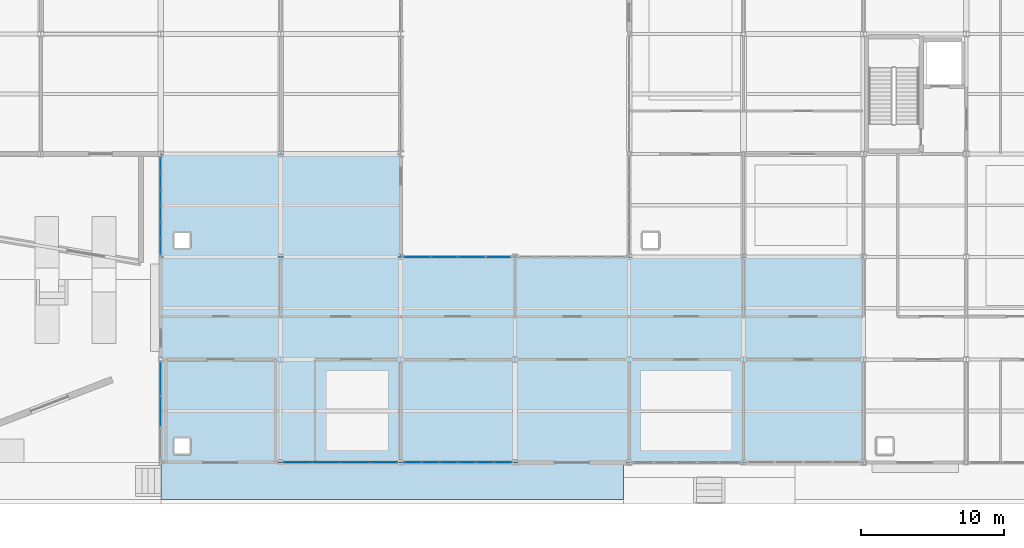
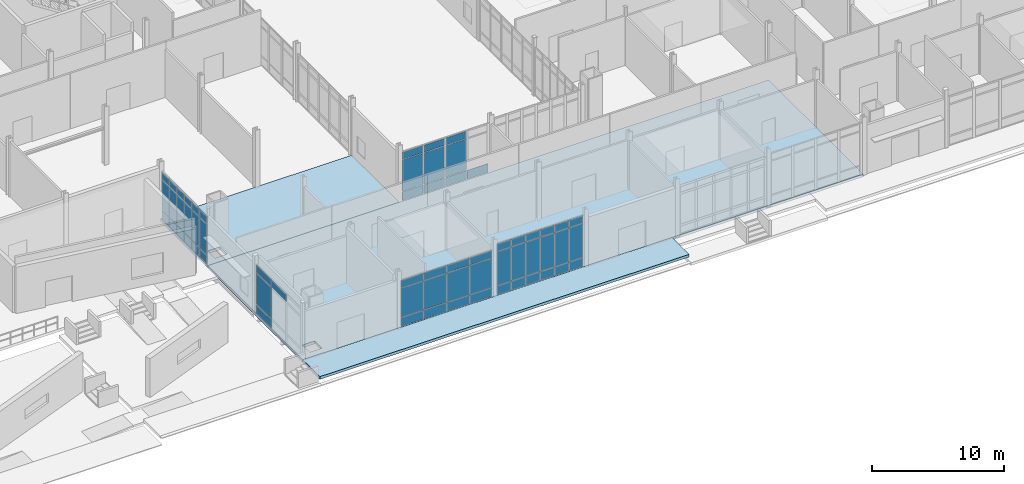
# One storey, part 141 of 229: 62 plates, 3 slabs, 5 elements without a shape of their own.
"""IFC4 building model written with IfcOpenShell, lengths in metres."""

from ifc_helpers import new_model, si_unit, direction, frame, origin, origin_2d, place, context, subcontext, project, spatial, polyline, rectangle, outline, extrude, material, layer, layer_set, type_object, element, aggregate, save


model = new_model("IFC4")

# Units and contexts
model_context = context("Model", 3, precision=1e-05, world=origin(), true_north=direction((0.0, 1.0)))
body_context = subcontext(model_context, "Body", "Model", "MODEL_VIEW")
ifc_project = project(units=[si_unit("LENGTHUNIT", "METRE"), si_unit("AREAUNIT", "SQUARE_METRE"), si_unit("VOLUMEUNIT", "CUBIC_METRE"), si_unit("PLANEANGLEUNIT", "RADIAN"), si_unit("MASSUNIT", "GRAM", prefix="KILO")], contexts=[model_context])

# Site, building, storey
site_placement = place(None, origin())
site = spatial("IfcSite", under=ifc_project, at=site_placement, CompositionType="ELEMENT")
building_placement = place(site_placement, origin())
building = spatial("IfcBuilding", under=site, at=building_placement, Name="Calvrana Isthmian Art Gallery", CompositionType="ELEMENT")
storey_placement = place(building_placement, origin())
storey = spatial("IfcBuildingStorey", under=building, at=storey_placement, Name="L00", CompositionType="ELEMENT", Elevation=0.0)

# Curtain wall, plates
ifc_material_1 = material(Name="Anodized bronze aluminium 6063-T6", Category="aluminium")
ifc_layer_1 = layer(ifc_material_1, 0.179931640625, Name="Anodized bronze aluminium 6063-T6")
ifc_layer_set_1 = layer_set([ifc_layer_1], Name="Anodized bronze aluminium 6063-T6")
curtain_wall_type_1 = type_object("IfcCurtainWallType", Name="CW-UNIT-076X46", PredefinedType="USERDEFINED", material=ifc_layer_set_1)
curtain_wall_1_placement = place(storey_placement, origin())
curtain_wall_1 = element("IfcCurtainWall", 1, at=curtain_wall_1_placement, inside=storey, type_object=curtain_wall_type_1, Name="Curtain wall CW-015", ObjectType="UNITISED CURTAIN WALL", PredefinedType="USERDEFINED")
ifc_material_2 = material(Name="Polychrome glazed terracotta", Category="masonry")
ifc_layer_2 = layer(ifc_material_2, 0.033935546875, Name="Polychrome glazed terracotta")
ifc_layer_set_2 = layer_set([ifc_layer_2], Name="Polychrome glazed terracotta")
plate_type_1 = type_object("IfcPlateType", Name="CWP-SPANDREL-34", PredefinedType="CURTAIN_PANEL", material=ifc_layer_set_2)
plate_1_placement = place(storey_placement, frame((81.556884765625, 14.39990234375, 0.06005859375), z_axis=(0.0, 0.0, 1.0), x_axis=(1.0, 0.0, 0.0)))
plate_1 = element("IfcPlate", 2, at=plate_1_placement, type_object=plate_type_1, Name="CW-015 panel 1.1", PredefinedType="CURTAIN_PANEL", context=body_context, shape_type="SweptSolid", body=[
    extrude(rectangle(XDim=1.802734375, YDim=0.033935546875, at=origin_2d()), origin(), (0.0, 0.0, 1.0), 0.81005859375),
])
plate_2_placement = place(storey_placement, frame((81.556884765625, 14.39990234375, 0.929931640625), z_axis=(0.0, 0.0, 1.0), x_axis=(1.0, 0.0, 0.0)))
plate_2 = element("IfcPlate", 3, at=plate_2_placement, type_object=plate_type_1, Name="CW-015 panel 1.2", PredefinedType="CURTAIN_PANEL", context=body_context, shape_type="SweptSolid", body=[
    extrude(rectangle(XDim=1.802734375, YDim=0.033935546875, at=origin_2d()), origin(), (0.0, 0.0, 1.0), 2.89697265625),
])
plate_3_placement = place(storey_placement, frame((81.556884765625, 14.39990234375, 3.88720703125), z_axis=(0.0, 0.0, 1.0), x_axis=(1.0, 0.0, 0.0)))
plate_3 = element("IfcPlate", 4, at=plate_3_placement, type_object=plate_type_1, Name="CW-015 panel 1.3", PredefinedType="CURTAIN_PANEL", context=body_context, shape_type="SweptSolid", body=[
    extrude(rectangle(XDim=1.802734375, YDim=0.033935546875, at=origin_2d()), origin(), (0.0, 0.0, 1.0), 0.659912109375),
])
plate_4_placement = place(storey_placement, frame((83.447021484375, 14.39990234375, 0.06005859375), z_axis=(0.0, 0.0, 1.0), x_axis=(1.0, 0.0, 0.0)))
plate_4 = element("IfcPlate", 5, at=plate_4_placement, type_object=plate_type_1, Name="CW-015 panel 2.1", PredefinedType="CURTAIN_PANEL", context=body_context, shape_type="SweptSolid", body=[
    extrude(rectangle(XDim=1.837646484375, YDim=0.033935546875, at=origin_2d()), origin(), (0.0, 0.0, 1.0), 0.81005859375),
])
plate_5_placement = place(storey_placement, frame((83.447021484375, 14.39990234375, 0.929931640625), z_axis=(0.0, 0.0, 1.0), x_axis=(1.0, 0.0, 0.0)))
plate_5 = element("IfcPlate", 6, at=plate_5_placement, type_object=plate_type_1, Name="CW-015 panel 2.2", PredefinedType="CURTAIN_PANEL", context=body_context, shape_type="SweptSolid", body=[
    extrude(rectangle(XDim=1.837646484375, YDim=0.033935546875, at=origin_2d()), origin(), (0.0, 0.0, 1.0), 2.89697265625),
])
plate_6_placement = place(storey_placement, frame((83.447021484375, 14.39990234375, 3.88720703125), z_axis=(0.0, 0.0, 1.0), x_axis=(1.0, 0.0, 0.0)))
plate_6 = element("IfcPlate", 7, at=plate_6_placement, type_object=plate_type_1, Name="CW-015 panel 2.3", PredefinedType="CURTAIN_PANEL", context=body_context, shape_type="SweptSolid", body=[
    extrude(rectangle(XDim=1.837646484375, YDim=0.033935546875, at=origin_2d()), origin(), (0.0, 0.0, 1.0), 0.659912109375),
])
plate_7_placement = place(storey_placement, frame((85.3544921875, 14.39990234375, 0.06005859375), z_axis=(0.0, 0.0, 1.0), x_axis=(1.0, 0.0, 0.0)))
plate_7 = element("IfcPlate", 8, at=plate_7_placement, type_object=plate_type_1, Name="CW-015 panel 3.1", PredefinedType="CURTAIN_PANEL", context=body_context, shape_type="SweptSolid", body=[
    extrude(rectangle(XDim=1.837646484375, YDim=0.033935546875, at=origin_2d()), origin(), (0.0, 0.0, 1.0), 0.81005859375),
])
plate_8_placement = place(storey_placement, frame((85.3544921875, 14.39990234375, 0.929931640625), z_axis=(0.0, 0.0, 1.0), x_axis=(1.0, 0.0, 0.0)))
plate_8 = element("IfcPlate", 9, at=plate_8_placement, type_object=plate_type_1, Name="CW-015 panel 3.2", PredefinedType="CURTAIN_PANEL", context=body_context, shape_type="SweptSolid", body=[
    extrude(rectangle(XDim=1.837646484375, YDim=0.033935546875, at=origin_2d()), origin(), (0.0, 0.0, 1.0), 2.89697265625),
])
plate_9_placement = place(storey_placement, frame((85.3544921875, 14.39990234375, 3.88720703125), z_axis=(0.0, 0.0, 1.0), x_axis=(1.0, 0.0, 0.0)))
plate_9 = element("IfcPlate", 10, at=plate_9_placement, type_object=plate_type_1, Name="CW-015 panel 3.3", PredefinedType="CURTAIN_PANEL", context=body_context, shape_type="SweptSolid", body=[
    extrude(rectangle(XDim=1.837646484375, YDim=0.033935546875, at=origin_2d()), origin(), (0.0, 0.0, 1.0), 0.659912109375),
])
plate_10_placement = place(storey_placement, frame((87.24462890625, 14.39990234375, 0.06005859375), z_axis=(0.0, 0.0, 1.0), x_axis=(1.0, 0.0, 0.0)))
plate_10 = element("IfcPlate", 11, at=plate_10_placement, type_object=plate_type_1, Name="CW-015 panel 4.1", PredefinedType="CURTAIN_PANEL", context=body_context, shape_type="SweptSolid", body=[
    extrude(rectangle(XDim=1.802734375, YDim=0.033935546875, at=origin_2d()), origin(), (0.0, 0.0, 1.0), 0.81005859375),
])
aggregate(curtain_wall_1, [plate_1, plate_2, plate_3, plate_4, plate_5, plate_6, plate_7, plate_8, plate_9, plate_10])

ifc_layer_3 = layer(ifc_material_1, 0.179931640625, Name="Anodized bronze aluminium 6063-T6")
ifc_layer_set_3 = layer_set([ifc_layer_3], Name="Anodized bronze aluminium 6063-T6")
curtain_wall_type_2 = type_object("IfcCurtainWallType", Name="CW-UNIT-080X44", PredefinedType="USERDEFINED", material=ifc_layer_set_3)
curtain_wall_2_placement = place(storey_placement, origin())
curtain_wall_2 = element("IfcCurtainWall", 12, at=curtain_wall_2_placement, inside=storey, type_object=curtain_wall_type_2, Name="Curtain wall CW-007", ObjectType="UNITISED CURTAIN WALL", PredefinedType="USERDEFINED")
ifc_material_3 = material(Name="Low-E laminated solar glass", Category="glass")
ifc_layer_4 = layer(ifc_material_3, 0.028076171875, Name="Low-E laminated solar glass")
ifc_layer_set_4 = layer_set([ifc_layer_4], Name="Low-E laminated solar glass")
plate_type_2 = type_object("IfcPlateType", Name="CWP-VISION-28", PredefinedType="CURTAIN_PANEL", material=ifc_layer_set_4)
plate_11_placement = place(storey_placement, frame((79.19482421875, 0.0, 0.06494140625), z_axis=(0.0, 0.0, 1.0), x_axis=(-1.0, 0.0, 0.0)))
plate_11 = element("IfcPlate", 13, at=plate_11_placement, type_object=plate_type_2, Name="CW-007 panel 1.1", PredefinedType="CURTAIN_PANEL", context=body_context, shape_type="SweptSolid", body=[
    extrude(rectangle(XDim=1.91748046875, YDim=0.028076171875, at=origin_2d()), origin(), (0.0, 0.0, 1.0), 0.802490234375),
])
plate_12_placement = place(storey_placement, frame((79.19482421875, 0.0, 0.932373046875), z_axis=(0.0, 0.0, 1.0), x_axis=(-1.0, 0.0, 0.0)))
plate_12 = element("IfcPlate", 14, at=plate_12_placement, type_object=plate_type_2, Name="CW-007 panel 1.2", PredefinedType="CURTAIN_PANEL", context=body_context, shape_type="SweptSolid", body=[
    extrude(rectangle(XDim=1.91748046875, YDim=0.028076171875, at=origin_2d()), origin(), (0.0, 0.0, 1.0), 2.6630859375),
])
plate_13_placement = place(storey_placement, frame((79.19482421875, 0.0, 3.66064453125), z_axis=(0.0, 0.0, 1.0), x_axis=(-1.0, 0.0, 0.0)))
plate_13 = element("IfcPlate", 15, at=plate_13_placement, type_object=plate_type_2, Name="CW-007 panel 1.3", PredefinedType="CURTAIN_PANEL", context=body_context, shape_type="SweptSolid", body=[
    extrude(rectangle(XDim=1.91748046875, YDim=0.028076171875, at=origin_2d()), origin(), (0.0, 0.0, 1.0), 0.652587890625),
])
plate_14_placement = place(storey_placement, frame((77.202392578125, 0.0, 0.06494140625), z_axis=(0.0, 0.0, 1.0), x_axis=(-1.0, 0.0, 0.0)))
plate_14 = element("IfcPlate", 16, at=plate_14_placement, type_object=plate_type_2, Name="CW-007 panel 2.1", PredefinedType="CURTAIN_PANEL", context=body_context, shape_type="SweptSolid", body=[
    extrude(rectangle(XDim=1.947265625, YDim=0.028076171875, at=origin_2d()), origin(), (0.0, 0.0, 1.0), 0.802490234375),
])
plate_15_placement = place(storey_placement, frame((77.202392578125, 0.0, 0.932373046875), z_axis=(0.0, 0.0, 1.0), x_axis=(-1.0, 0.0, 0.0)))
plate_15 = element("IfcPlate", 17, at=plate_15_placement, type_object=plate_type_2, Name="CW-007 panel 2.2", PredefinedType="CURTAIN_PANEL", context=body_context, shape_type="SweptSolid", body=[
    extrude(rectangle(XDim=1.947265625, YDim=0.028076171875, at=origin_2d()), origin(), (0.0, 0.0, 1.0), 2.6630859375),
])
plate_16_placement = place(storey_placement, frame((77.202392578125, 0.0, 3.66064453125), z_axis=(0.0, 0.0, 1.0), x_axis=(-1.0, 0.0, 0.0)))
plate_16 = element("IfcPlate", 18, at=plate_16_placement, type_object=plate_type_2, Name="CW-007 panel 2.3", PredefinedType="CURTAIN_PANEL", context=body_context, shape_type="SweptSolid", body=[
    extrude(rectangle(XDim=1.947265625, YDim=0.028076171875, at=origin_2d()), origin(), (0.0, 0.0, 1.0), 0.652587890625),
])
plate_17_placement = place(storey_placement, frame((75.195068359375, 0.0, 0.06494140625), z_axis=(0.0, 0.0, 1.0), x_axis=(-1.0, 0.0, 0.0)))
plate_17 = element("IfcPlate", 19, at=plate_17_placement, type_object=plate_type_2, Name="CW-007 panel 3.1", PredefinedType="CURTAIN_PANEL", context=body_context, shape_type="SweptSolid", body=[
    extrude(rectangle(XDim=1.947265625, YDim=0.028076171875, at=origin_2d()), origin(), (0.0, 0.0, 1.0), 0.802490234375),
])
plate_18_placement = place(storey_placement, frame((75.195068359375, 0.0, 0.932373046875), z_axis=(0.0, 0.0, 1.0), x_axis=(-1.0, 0.0, 0.0)))
plate_18 = element("IfcPlate", 20, at=plate_18_placement, type_object=plate_type_2, Name="CW-007 panel 3.2", PredefinedType="CURTAIN_PANEL", context=body_context, shape_type="SweptSolid", body=[
    extrude(rectangle(XDim=1.947265625, YDim=0.028076171875, at=origin_2d()), origin(), (0.0, 0.0, 1.0), 2.6630859375),
])
plate_19_placement = place(storey_placement, frame((75.195068359375, 0.0, 3.66064453125), z_axis=(0.0, 0.0, 1.0), x_axis=(-1.0, 0.0, 0.0)))
plate_19 = element("IfcPlate", 21, at=plate_19_placement, type_object=plate_type_2, Name="CW-007 panel 3.3", PredefinedType="CURTAIN_PANEL", context=body_context, shape_type="SweptSolid", body=[
    extrude(rectangle(XDim=1.947265625, YDim=0.028076171875, at=origin_2d()), origin(), (0.0, 0.0, 1.0), 0.652587890625),
])
plate_20_placement = place(storey_placement, frame((73.20263671875, 0.0, 0.06494140625), z_axis=(0.0, 0.0, 1.0), x_axis=(-1.0, 0.0, 0.0)))
plate_20 = element("IfcPlate", 22, at=plate_20_placement, type_object=plate_type_2, Name="CW-007 panel 4.1", PredefinedType="CURTAIN_PANEL", context=body_context, shape_type="SweptSolid", body=[
    extrude(rectangle(XDim=1.91748046875, YDim=0.028076171875, at=origin_2d()), origin(), (0.0, 0.0, 1.0), 0.802490234375),
])
plate_21_placement = place(storey_placement, frame((73.20263671875, 0.0, 0.932373046875), z_axis=(0.0, 0.0, 1.0), x_axis=(-1.0, 0.0, 0.0)))
plate_21 = element("IfcPlate", 23, at=plate_21_placement, type_object=plate_type_2, Name="CW-007 panel 4.2", PredefinedType="CURTAIN_PANEL", context=body_context, shape_type="SweptSolid", body=[
    extrude(rectangle(XDim=1.91748046875, YDim=0.028076171875, at=origin_2d()), origin(), (0.0, 0.0, 1.0), 2.6630859375),
])
plate_22_placement = place(storey_placement, frame((73.20263671875, 0.0, 3.66064453125), z_axis=(0.0, 0.0, 1.0), x_axis=(-1.0, 0.0, 0.0)))
plate_22 = element("IfcPlate", 24, at=plate_22_placement, type_object=plate_type_2, Name="CW-007 panel 4.3", PredefinedType="CURTAIN_PANEL", context=body_context, shape_type="SweptSolid", body=[
    extrude(rectangle(XDim=1.91748046875, YDim=0.028076171875, at=origin_2d()), origin(), (0.0, 0.0, 1.0), 0.652587890625),
])
aggregate(curtain_wall_2, [plate_11, plate_12, plate_13, plate_14, plate_15, plate_16, plate_17, plate_18, plate_19, plate_20, plate_21, plate_22])

ifc_layer_5 = layer(ifc_material_1, 0.179931640625, Name="Anodized bronze aluminium 6063-T6")
ifc_layer_set_5 = layer_set([ifc_layer_5], Name="Anodized bronze aluminium 6063-T6")
curtain_wall_type_3 = type_object("IfcCurtainWallType", Name="CW-UNIT-076X48", PredefinedType="USERDEFINED", material=ifc_layer_set_5)
curtain_wall_3_placement = place(storey_placement, origin())
curtain_wall_3 = element("IfcCurtainWall", 25, at=curtain_wall_3_placement, inside=storey, type_object=curtain_wall_type_3, Name="Curtain wall CW-008", ObjectType="UNITISED CURTAIN WALL", PredefinedType="USERDEFINED")
plate_23_placement = place(storey_placement, frame((87.561767578125, 0.0, 0.070068359375), z_axis=(0.0, 0.0, 1.0), x_axis=(-1.0, 0.0, 0.0)))
plate_23 = element("IfcPlate", 26, at=plate_23_placement, type_object=plate_type_2, Name="CW-008 panel 1.1", PredefinedType="CURTAIN_PANEL", context=body_context, shape_type="SweptSolid", body=[
    extrude(rectangle(XDim=1.173583984375, YDim=0.028076171875, at=origin_2d()), origin(), (0.0, 0.0, 1.0), 0.794921875),
])
plate_24_placement = place(storey_placement, frame((87.561767578125, 0.0, 0.93505859375), z_axis=(0.0, 0.0, 1.0), x_axis=(-1.0, 0.0, 0.0)))
plate_24 = element("IfcPlate", 27, at=plate_24_placement, type_object=plate_type_2, Name="CW-008 panel 1.2", PredefinedType="CURTAIN_PANEL", context=body_context, shape_type="SweptSolid", body=[
    extrude(rectangle(XDim=1.173583984375, YDim=0.028076171875, at=origin_2d()), origin(), (0.0, 0.0, 1.0), 3.115234375),
])
plate_25_placement = place(storey_placement, frame((87.561767578125, 0.0, 4.1201171875), z_axis=(0.0, 0.0, 1.0), x_axis=(-1.0, 0.0, 0.0)))
plate_25 = element("IfcPlate", 28, at=plate_25_placement, type_object=plate_type_2, Name="CW-008 panel 1.3", PredefinedType="CURTAIN_PANEL", context=body_context, shape_type="SweptSolid", body=[
    extrude(rectangle(XDim=1.173583984375, YDim=0.028076171875, at=origin_2d()), origin(), (0.0, 0.0, 1.0), 0.64501953125),
])
plate_26_placement = place(storey_placement, frame((86.306640625, 0.0, 0.070068359375), z_axis=(0.0, 0.0, 1.0), x_axis=(-1.0, 0.0, 0.0)))
plate_26 = element("IfcPlate", 29, at=plate_26_placement, type_object=plate_type_2, Name="CW-008 panel 2.1", PredefinedType="CURTAIN_PANEL", context=body_context, shape_type="SweptSolid", body=[
    extrude(rectangle(XDim=1.2060546875, YDim=0.028076171875, at=origin_2d()), origin(), (0.0, 0.0, 1.0), 0.794921875),
])
plate_27_placement = place(storey_placement, frame((86.306640625, 0.0, 0.93505859375), z_axis=(0.0, 0.0, 1.0), x_axis=(-1.0, 0.0, 0.0)))
plate_27 = element("IfcPlate", 30, at=plate_27_placement, type_object=plate_type_2, Name="CW-008 panel 2.2", PredefinedType="CURTAIN_PANEL", context=body_context, shape_type="SweptSolid", body=[
    extrude(rectangle(XDim=1.2060546875, YDim=0.028076171875, at=origin_2d()), origin(), (0.0, 0.0, 1.0), 3.115234375),
])
plate_28_placement = place(storey_placement, frame((86.306640625, 0.0, 4.1201171875), z_axis=(0.0, 0.0, 1.0), x_axis=(-1.0, 0.0, 0.0)))
plate_28 = element("IfcPlate", 31, at=plate_28_placement, type_object=plate_type_2, Name="CW-008 panel 2.3", PredefinedType="CURTAIN_PANEL", context=body_context, shape_type="SweptSolid", body=[
    extrude(rectangle(XDim=1.2060546875, YDim=0.028076171875, at=origin_2d()), origin(), (0.0, 0.0, 1.0), 0.64501953125),
])
plate_29_placement = place(storey_placement, frame((85.03564453125, 0.0, 0.070068359375), z_axis=(0.0, 0.0, 1.0), x_axis=(-1.0, 0.0, 0.0)))
plate_29 = element("IfcPlate", 32, at=plate_29_placement, type_object=plate_type_2, Name="CW-008 panel 3.1", PredefinedType="CURTAIN_PANEL", context=body_context, shape_type="SweptSolid", body=[
    extrude(rectangle(XDim=1.2060546875, YDim=0.028076171875, at=origin_2d()), origin(), (0.0, 0.0, 1.0), 0.794921875),
])
plate_30_placement = place(storey_placement, frame((85.03564453125, 0.0, 0.93505859375), z_axis=(0.0, 0.0, 1.0), x_axis=(-1.0, 0.0, 0.0)))
plate_30 = element("IfcPlate", 33, at=plate_30_placement, type_object=plate_type_2, Name="CW-008 panel 3.2", PredefinedType="CURTAIN_PANEL", context=body_context, shape_type="SweptSolid", body=[
    extrude(rectangle(XDim=1.2060546875, YDim=0.028076171875, at=origin_2d()), origin(), (0.0, 0.0, 1.0), 3.115234375),
])
plate_31_placement = place(storey_placement, frame((85.03564453125, 0.0, 4.1201171875), z_axis=(0.0, 0.0, 1.0), x_axis=(-1.0, 0.0, 0.0)))
plate_31 = element("IfcPlate", 34, at=plate_31_placement, type_object=plate_type_2, Name="CW-008 panel 3.3", PredefinedType="CURTAIN_PANEL", context=body_context, shape_type="SweptSolid", body=[
    extrude(rectangle(XDim=1.2060546875, YDim=0.028076171875, at=origin_2d()), origin(), (0.0, 0.0, 1.0), 0.64501953125),
])
plate_32_placement = place(storey_placement, frame((83.764404296875, 0.0, 0.070068359375), z_axis=(0.0, 0.0, 1.0), x_axis=(-1.0, 0.0, 0.0)))
plate_32 = element("IfcPlate", 35, at=plate_32_placement, type_object=plate_type_2, Name="CW-008 panel 4.1", PredefinedType="CURTAIN_PANEL", context=body_context, shape_type="SweptSolid", body=[
    extrude(rectangle(XDim=1.2060546875, YDim=0.028076171875, at=origin_2d()), origin(), (0.0, 0.0, 1.0), 0.794921875),
])
plate_33_placement = place(storey_placement, frame((83.764404296875, 0.0, 0.93505859375), z_axis=(0.0, 0.0, 1.0), x_axis=(-1.0, 0.0, 0.0)))
plate_33 = element("IfcPlate", 36, at=plate_33_placement, type_object=plate_type_2, Name="CW-008 panel 4.2", PredefinedType="CURTAIN_PANEL", context=body_context, shape_type="SweptSolid", body=[
    extrude(rectangle(XDim=1.2060546875, YDim=0.028076171875, at=origin_2d()), origin(), (0.0, 0.0, 1.0), 3.115234375),
])
plate_34_placement = place(storey_placement, frame((83.764404296875, 0.0, 4.1201171875), z_axis=(0.0, 0.0, 1.0), x_axis=(-1.0, 0.0, 0.0)))
plate_34 = element("IfcPlate", 37, at=plate_34_placement, type_object=plate_type_2, Name="CW-008 panel 4.3", PredefinedType="CURTAIN_PANEL", context=body_context, shape_type="SweptSolid", body=[
    extrude(rectangle(XDim=1.2060546875, YDim=0.028076171875, at=origin_2d()), origin(), (0.0, 0.0, 1.0), 0.64501953125),
])
plate_35_placement = place(storey_placement, frame((82.4931640625, 0.0, 0.070068359375), z_axis=(0.0, 0.0, 1.0), x_axis=(-1.0, 0.0, 0.0)))
plate_35 = element("IfcPlate", 38, at=plate_35_placement, type_object=plate_type_2, Name="CW-008 panel 5.1", PredefinedType="CURTAIN_PANEL", context=body_context, shape_type="SweptSolid", body=[
    extrude(rectangle(XDim=1.2060546875, YDim=0.028076171875, at=origin_2d()), origin(), (0.0, 0.0, 1.0), 0.794921875),
])
plate_36_placement = place(storey_placement, frame((82.4931640625, 0.0, 0.93505859375), z_axis=(0.0, 0.0, 1.0), x_axis=(-1.0, 0.0, 0.0)))
plate_36 = element("IfcPlate", 39, at=plate_36_placement, type_object=plate_type_2, Name="CW-008 panel 5.2", PredefinedType="CURTAIN_PANEL", context=body_context, shape_type="SweptSolid", body=[
    extrude(rectangle(XDim=1.2060546875, YDim=0.028076171875, at=origin_2d()), origin(), (0.0, 0.0, 1.0), 3.115234375),
])
plate_37_placement = place(storey_placement, frame((82.4931640625, 0.0, 4.1201171875), z_axis=(0.0, 0.0, 1.0), x_axis=(-1.0, 0.0, 0.0)))
plate_37 = element("IfcPlate", 40, at=plate_37_placement, type_object=plate_type_2, Name="CW-008 panel 5.3", PredefinedType="CURTAIN_PANEL", context=body_context, shape_type="SweptSolid", body=[
    extrude(rectangle(XDim=1.2060546875, YDim=0.028076171875, at=origin_2d()), origin(), (0.0, 0.0, 1.0), 0.64501953125),
])
plate_38_placement = place(storey_placement, frame((81.23828125, 0.0, 0.070068359375), z_axis=(0.0, 0.0, 1.0), x_axis=(-1.0, 0.0, 0.0)))
plate_38 = element("IfcPlate", 41, at=plate_38_placement, type_object=plate_type_2, Name="CW-008 panel 6.1", PredefinedType="CURTAIN_PANEL", context=body_context, shape_type="SweptSolid", body=[
    extrude(rectangle(XDim=1.173583984375, YDim=0.028076171875, at=origin_2d()), origin(), (0.0, 0.0, 1.0), 0.794921875),
])
plate_39_placement = place(storey_placement, frame((81.23828125, 0.0, 0.93505859375), z_axis=(0.0, 0.0, 1.0), x_axis=(-1.0, 0.0, 0.0)))
plate_39 = element("IfcPlate", 42, at=plate_39_placement, type_object=plate_type_2, Name="CW-008 panel 6.2", PredefinedType="CURTAIN_PANEL", context=body_context, shape_type="SweptSolid", body=[
    extrude(rectangle(XDim=1.173583984375, YDim=0.028076171875, at=origin_2d()), origin(), (0.0, 0.0, 1.0), 3.115234375),
])
plate_40_placement = place(storey_placement, frame((81.23828125, 0.0, 4.1201171875), z_axis=(0.0, 0.0, 1.0), x_axis=(-1.0, 0.0, 0.0)))
plate_40 = element("IfcPlate", 43, at=plate_40_placement, type_object=plate_type_2, Name="CW-008 panel 6.3", PredefinedType="CURTAIN_PANEL", context=body_context, shape_type="SweptSolid", body=[
    extrude(rectangle(XDim=1.173583984375, YDim=0.028076171875, at=origin_2d()), origin(), (0.0, 0.0, 1.0), 0.64501953125),
])
aggregate(curtain_wall_3, [plate_23, plate_24, plate_25, plate_26, plate_27, plate_28, plate_29, plate_30, plate_31, plate_32, plate_33, plate_34, plate_35, plate_36, plate_37, plate_38, plate_39, plate_40])

ifc_layer_6 = layer(ifc_material_1, 0.179931640625, Name="Anodized bronze aluminium 6063-T6")
ifc_layer_set_6 = layer_set([ifc_layer_6], Name="Anodized bronze aluminium 6063-T6")
curtain_wall_type_4 = type_object("IfcCurtainWallType", Name="CW-STICK-069X46", PredefinedType="NOTDEFINED", material=ifc_layer_set_6)
curtain_wall_4_placement = place(storey_placement, origin())
curtain_wall_4 = element("IfcCurtainWall", 44, at=curtain_wall_4_placement, inside=storey, type_object=curtain_wall_type_4, Name="Curtain wall CW-063", PredefinedType="NOTDEFINED")
plate_41_placement = place(storey_placement, frame((63.60009765625, 3.60009765625, 3.89208984375), z_axis=(0.0, 0.0, 1.0), x_axis=(0.0, 1.0, 0.0)))
plate_41 = element("IfcPlate", 45, at=plate_41_placement, type_object=plate_type_2, Name="CW-063 panel 2.3", PredefinedType="CURTAIN_PANEL", context=body_context, shape_type="SweptSolid", body=[
    extrude(rectangle(XDim=2.228515625, YDim=0.028076171875, at=origin_2d()), origin(), (0.0, 0.0, 1.0), 0.64501953125),
])
plate_42_placement = place(storey_placement, frame((63.60009765625, 5.880859375, 0.070068359375), z_axis=(0.0, 0.0, 1.0), x_axis=(0.0, 1.0, 0.0)))
plate_42 = element("IfcPlate", 46, at=plate_42_placement, type_object=plate_type_2, Name="CW-063 panel 3.1", PredefinedType="CURTAIN_PANEL", context=body_context, shape_type="SweptSolid", body=[
    extrude(rectangle(XDim=2.193359375, YDim=0.028076171875, at=origin_2d()), origin(), (0.0, 0.0, 1.0), 0.794921875),
])
plate_43_placement = place(storey_placement, frame((63.60009765625, 5.880859375, 0.93505859375), z_axis=(0.0, 0.0, 1.0), x_axis=(0.0, 1.0, 0.0)))
plate_43 = element("IfcPlate", 47, at=plate_43_placement, type_object=plate_type_2, Name="CW-063 panel 3.2", PredefinedType="CURTAIN_PANEL", context=body_context, shape_type="SweptSolid", body=[
    extrude(rectangle(XDim=2.193359375, YDim=0.028076171875, at=origin_2d()), origin(), (0.0, 0.0, 1.0), 2.886962890625),
])
plate_44_placement = place(storey_placement, frame((63.60009765625, 5.880859375, 3.89208984375), z_axis=(0.0, 0.0, 1.0), x_axis=(0.0, 1.0, 0.0)))
plate_44 = element("IfcPlate", 48, at=plate_44_placement, type_object=plate_type_2, Name="CW-063 panel 3.3", PredefinedType="CURTAIN_PANEL", context=body_context, shape_type="SweptSolid", body=[
    extrude(rectangle(XDim=2.193359375, YDim=0.028076171875, at=origin_2d()), origin(), (0.0, 0.0, 1.0), 0.64501953125),
])
aggregate(curtain_wall_4, [plate_41, plate_42, plate_43, plate_44])

ifc_layer_7 = layer(ifc_material_1, 0.179931640625, Name="Anodized bronze aluminium 6063-T6")
ifc_layer_set_7 = layer_set([ifc_layer_7], Name="Anodized bronze aluminium 6063-T6")
curtain_wall_type_5 = type_object("IfcCurtainWallType", Name="CW-UNIT-069X45", PredefinedType="USERDEFINED", material=ifc_layer_set_7)
curtain_wall_5_placement = place(storey_placement, origin())
curtain_wall_5 = element("IfcCurtainWall", 49, at=curtain_wall_5_placement, inside=storey, type_object=curtain_wall_type_5, Name="Curtain wall CW-064", ObjectType="UNITISED CURTAIN WALL", PredefinedType="USERDEFINED")
plate_45_placement = place(storey_placement, frame((63.60009765625, 15.094970703125, 0.074951171875), z_axis=(0.0, 0.0, 1.0), x_axis=(0.0, 1.0, 0.0)))
plate_45 = element("IfcPlate", 50, at=plate_45_placement, type_object=plate_type_2, Name="CW-064 panel 1.1", PredefinedType="CURTAIN_PANEL", context=body_context, shape_type="SweptSolid", body=[
    extrude(rectangle(XDim=1.03662109375, YDim=0.028076171875, at=origin_2d()), origin(), (0.0, 0.0, 1.0), 0.78759765625),
])
plate_46_placement = place(storey_placement, frame((63.60009765625, 15.094970703125, 0.9375), z_axis=(0.0, 0.0, 1.0), x_axis=(0.0, 1.0, 0.0)))
plate_46 = element("IfcPlate", 51, at=plate_46_placement, type_object=plate_type_2, Name="CW-064 panel 1.2", PredefinedType="CURTAIN_PANEL", context=body_context, shape_type="SweptSolid", body=[
    extrude(rectangle(XDim=1.03662109375, YDim=0.028076171875, at=origin_2d()), origin(), (0.0, 0.0, 1.0), 2.802978515625),
])
plate_47_placement = place(storey_placement, frame((63.60009765625, 15.094970703125, 3.8154296875), z_axis=(0.0, 0.0, 1.0), x_axis=(0.0, 1.0, 0.0)))
plate_47 = element("IfcPlate", 52, at=plate_47_placement, type_object=plate_type_2, Name="CW-064 panel 1.3", PredefinedType="CURTAIN_PANEL", context=body_context, shape_type="SweptSolid", body=[
    extrude(rectangle(XDim=1.03662109375, YDim=0.028076171875, at=origin_2d()), origin(), (0.0, 0.0, 1.0), 0.637451171875),
])
plate_48_placement = place(storey_placement, frame((63.60009765625, 16.225341796875, 0.074951171875), z_axis=(0.0, 0.0, 1.0), x_axis=(0.0, 1.0, 0.0)))
plate_48 = element("IfcPlate", 53, at=plate_48_placement, type_object=plate_type_2, Name="CW-064 panel 2.1", PredefinedType="CURTAIN_PANEL", context=body_context, shape_type="SweptSolid", body=[
    extrude(rectangle(XDim=1.07421875, YDim=0.028076171875, at=origin_2d()), origin(), (0.0, 0.0, 1.0), 0.78759765625),
])
plate_49_placement = place(storey_placement, frame((63.60009765625, 16.225341796875, 0.9375), z_axis=(0.0, 0.0, 1.0), x_axis=(0.0, 1.0, 0.0)))
plate_49 = element("IfcPlate", 54, at=plate_49_placement, type_object=plate_type_2, Name="CW-064 panel 2.2", PredefinedType="CURTAIN_PANEL", context=body_context, shape_type="SweptSolid", body=[
    extrude(rectangle(XDim=1.07421875, YDim=0.028076171875, at=origin_2d()), origin(), (0.0, 0.0, 1.0), 2.802978515625),
])
plate_50_placement = place(storey_placement, frame((63.60009765625, 16.225341796875, 3.8154296875), z_axis=(0.0, 0.0, 1.0), x_axis=(0.0, 1.0, 0.0)))
plate_50 = element("IfcPlate", 55, at=plate_50_placement, type_object=plate_type_2, Name="CW-064 panel 2.3", PredefinedType="CURTAIN_PANEL", context=body_context, shape_type="SweptSolid", body=[
    extrude(rectangle(XDim=1.07421875, YDim=0.028076171875, at=origin_2d()), origin(), (0.0, 0.0, 1.0), 0.637451171875),
])
plate_51_placement = place(storey_placement, frame((63.60009765625, 17.374755859375, 0.074951171875), z_axis=(0.0, 0.0, 1.0), x_axis=(0.0, 1.0, 0.0)))
plate_51 = element("IfcPlate", 56, at=plate_51_placement, type_object=plate_type_2, Name="CW-064 panel 3.1", PredefinedType="CURTAIN_PANEL", context=body_context, shape_type="SweptSolid", body=[
    extrude(rectangle(XDim=1.07421875, YDim=0.028076171875, at=origin_2d()), origin(), (0.0, 0.0, 1.0), 0.78759765625),
])
plate_52_placement = place(storey_placement, frame((63.60009765625, 17.374755859375, 0.9375), z_axis=(0.0, 0.0, 1.0), x_axis=(0.0, 1.0, 0.0)))
plate_52 = element("IfcPlate", 57, at=plate_52_placement, type_object=plate_type_2, Name="CW-064 panel 3.2", PredefinedType="CURTAIN_PANEL", context=body_context, shape_type="SweptSolid", body=[
    extrude(rectangle(XDim=1.07421875, YDim=0.028076171875, at=origin_2d()), origin(), (0.0, 0.0, 1.0), 2.802978515625),
])
plate_53_placement = place(storey_placement, frame((63.60009765625, 17.374755859375, 3.8154296875), z_axis=(0.0, 0.0, 1.0), x_axis=(0.0, 1.0, 0.0)))
plate_53 = element("IfcPlate", 58, at=plate_53_placement, type_object=plate_type_2, Name="CW-064 panel 3.3", PredefinedType="CURTAIN_PANEL", context=body_context, shape_type="SweptSolid", body=[
    extrude(rectangle(XDim=1.07421875, YDim=0.028076171875, at=origin_2d()), origin(), (0.0, 0.0, 1.0), 0.637451171875),
])
plate_54_placement = place(storey_placement, frame((63.60009765625, 18.52392578125, 0.074951171875), z_axis=(0.0, 0.0, 1.0), x_axis=(0.0, 1.0, 0.0)))
plate_54 = element("IfcPlate", 59, at=plate_54_placement, type_object=plate_type_2, Name="CW-064 panel 4.1", PredefinedType="CURTAIN_PANEL", context=body_context, shape_type="SweptSolid", body=[
    extrude(rectangle(XDim=1.07421875, YDim=0.028076171875, at=origin_2d()), origin(), (0.0, 0.0, 1.0), 0.78759765625),
])
plate_55_placement = place(storey_placement, frame((63.60009765625, 18.52392578125, 0.9375), z_axis=(0.0, 0.0, 1.0), x_axis=(0.0, 1.0, 0.0)))
plate_55 = element("IfcPlate", 60, at=plate_55_placement, type_object=plate_type_2, Name="CW-064 panel 4.2", PredefinedType="CURTAIN_PANEL", context=body_context, shape_type="SweptSolid", body=[
    extrude(rectangle(XDim=1.07421875, YDim=0.028076171875, at=origin_2d()), origin(), (0.0, 0.0, 1.0), 2.802978515625),
])
plate_56_placement = place(storey_placement, frame((63.60009765625, 18.52392578125, 3.8154296875), z_axis=(0.0, 0.0, 1.0), x_axis=(0.0, 1.0, 0.0)))
plate_56 = element("IfcPlate", 61, at=plate_56_placement, type_object=plate_type_2, Name="CW-064 panel 4.3", PredefinedType="CURTAIN_PANEL", context=body_context, shape_type="SweptSolid", body=[
    extrude(rectangle(XDim=1.07421875, YDim=0.028076171875, at=origin_2d()), origin(), (0.0, 0.0, 1.0), 0.637451171875),
])
plate_57_placement = place(storey_placement, frame((63.60009765625, 19.673095703125, 0.074951171875), z_axis=(0.0, 0.0, 1.0), x_axis=(0.0, 1.0, 0.0)))
plate_57 = element("IfcPlate", 62, at=plate_57_placement, type_object=plate_type_2, Name="CW-064 panel 5.1", PredefinedType="CURTAIN_PANEL", context=body_context, shape_type="SweptSolid", body=[
    extrude(rectangle(XDim=1.07421875, YDim=0.028076171875, at=origin_2d()), origin(), (0.0, 0.0, 1.0), 0.78759765625),
])
plate_58_placement = place(storey_placement, frame((63.60009765625, 19.673095703125, 0.9375), z_axis=(0.0, 0.0, 1.0), x_axis=(0.0, 1.0, 0.0)))
plate_58 = element("IfcPlate", 63, at=plate_58_placement, type_object=plate_type_2, Name="CW-064 panel 5.2", PredefinedType="CURTAIN_PANEL", context=body_context, shape_type="SweptSolid", body=[
    extrude(rectangle(XDim=1.07421875, YDim=0.028076171875, at=origin_2d()), origin(), (0.0, 0.0, 1.0), 2.802978515625),
])
plate_59_placement = place(storey_placement, frame((63.60009765625, 19.673095703125, 3.8154296875), z_axis=(0.0, 0.0, 1.0), x_axis=(0.0, 1.0, 0.0)))
plate_59 = element("IfcPlate", 64, at=plate_59_placement, type_object=plate_type_2, Name="CW-064 panel 5.3", PredefinedType="CURTAIN_PANEL", context=body_context, shape_type="SweptSolid", body=[
    extrude(rectangle(XDim=1.07421875, YDim=0.028076171875, at=origin_2d()), origin(), (0.0, 0.0, 1.0), 0.637451171875),
])
plate_60_placement = place(storey_placement, frame((63.60009765625, 20.8037109375, 0.074951171875), z_axis=(0.0, 0.0, 1.0), x_axis=(0.0, 1.0, 0.0)))
plate_60 = element("IfcPlate", 65, at=plate_60_placement, type_object=plate_type_2, Name="CW-064 panel 6.1", PredefinedType="CURTAIN_PANEL", context=body_context, shape_type="SweptSolid", body=[
    extrude(rectangle(XDim=1.03662109375, YDim=0.028076171875, at=origin_2d()), origin(), (0.0, 0.0, 1.0), 0.78759765625),
])
plate_61_placement = place(storey_placement, frame((63.60009765625, 20.8037109375, 0.9375), z_axis=(0.0, 0.0, 1.0), x_axis=(0.0, 1.0, 0.0)))
plate_61 = element("IfcPlate", 66, at=plate_61_placement, type_object=plate_type_2, Name="CW-064 panel 6.2", PredefinedType="CURTAIN_PANEL", context=body_context, shape_type="SweptSolid", body=[
    extrude(rectangle(XDim=1.03662109375, YDim=0.028076171875, at=origin_2d()), origin(), (0.0, 0.0, 1.0), 2.802978515625),
])
plate_62_placement = place(storey_placement, frame((63.60009765625, 20.8037109375, 3.8154296875), z_axis=(0.0, 0.0, 1.0), x_axis=(0.0, 1.0, 0.0)))
plate_62 = element("IfcPlate", 67, at=plate_62_placement, type_object=plate_type_2, Name="CW-064 panel 6.3", PredefinedType="CURTAIN_PANEL", context=body_context, shape_type="SweptSolid", body=[
    extrude(rectangle(XDim=1.03662109375, YDim=0.028076171875, at=origin_2d()), origin(), (0.0, 0.0, 1.0), 0.637451171875),
])
aggregate(curtain_wall_5, [plate_45, plate_46, plate_47, plate_48, plate_49, plate_50, plate_51, plate_52, plate_53, plate_54, plate_55, plate_56, plate_57, plate_58, plate_59, plate_60, plate_61, plate_62])

# Slabs
ifc_material_4 = material(Name="Concrete C40/50", Category="concrete")
ifc_layer_8 = layer(ifc_material_4, 0.260009765625, Name="Concrete C40/50")
ifc_layer_set_8 = layer_set([ifc_layer_8], Name="Concrete C40/50")
slab_type_1 = type_object("IfcSlabType", Name="SLB-GAL-260", PredefinedType="FLOOR", material=ifc_layer_set_8)
slab_1_placement = place(storey_placement, frame((0.0, 0.0, -0.260009765625)))
element("IfcSlab", 68, at=slab_1_placement, inside=storey, type_object=slab_type_1, Name="Floor slab V2S_L00", PredefinedType="FLOOR", context=body_context, shape_type="SweptSolid", body=[
    extrude(outline(polyline([(63.60009765625, 0.0), (112.800048828125, 0.0), (112.800048828125, 14.39990234375), (63.60009765625, 14.39990234375), (63.60009765625, 0.0)]), holes=[polyline([(64.56005859375, 0.60009765625), (65.639892578125, 0.60009765625), (65.639892578125, 1.679931640625), (64.56005859375, 1.679931640625), (64.56005859375, 0.60009765625)])]), origin(), (0.0, 0.0, 1.0), 0.260009765625),
])
slab_2_placement = place(storey_placement, frame((0.0, 0.0, -0.260009765625)))
element("IfcSlab", 69, at=slab_2_placement, inside=storey, type_object=slab_type_1, Name="Floor slab V2W_L00", PredefinedType="FLOOR", context=body_context, shape_type="SweptSolid", body=[
    extrude(outline(polyline([(63.60009765625, 14.39990234375), (80.39990234375, 14.39990234375), (80.39990234375, 21.60009765625), (63.60009765625, 21.60009765625), (63.60009765625, 14.39990234375)]), holes=[polyline([(64.56005859375, 15.0), (65.639892578125, 15.0), (65.639892578125, 16.080078125), (64.56005859375, 16.080078125), (64.56005859375, 15.0)])]), origin(), (0.0, 0.0, 1.0), 0.260009765625),
])
ifc_layer_9 = layer(ifc_material_4, 0.199951171875, Name="Concrete C40/50")
ifc_layer_set_9 = layer_set([ifc_layer_9], Name="Concrete C40/50")
slab_type_2 = type_object("IfcSlabType", Name="SLB-TER-200", PredefinedType="FLOOR", material=ifc_layer_set_9)
slab_3_placement = place(storey_placement, frame((0.0, 0.0, -0.25)))
element("IfcSlab", 70, at=slab_3_placement, inside=storey, type_object=slab_type_2, Name="Courtyard and entry plaza deck SLB_APR_SE_W", PredefinedType="FLOOR", context=body_context, shape_type="SweptSolid", body=[
    extrude(outline(polyline([(96.0, -2.60009765625), (96.0, 0.0), (63.60009765625, 0.0), (63.60009765625, -2.60009765625), (96.0, -2.60009765625)])), origin(), (0.0, 0.0, 1.0), 0.25),
])

save(model, "model.ifc")
